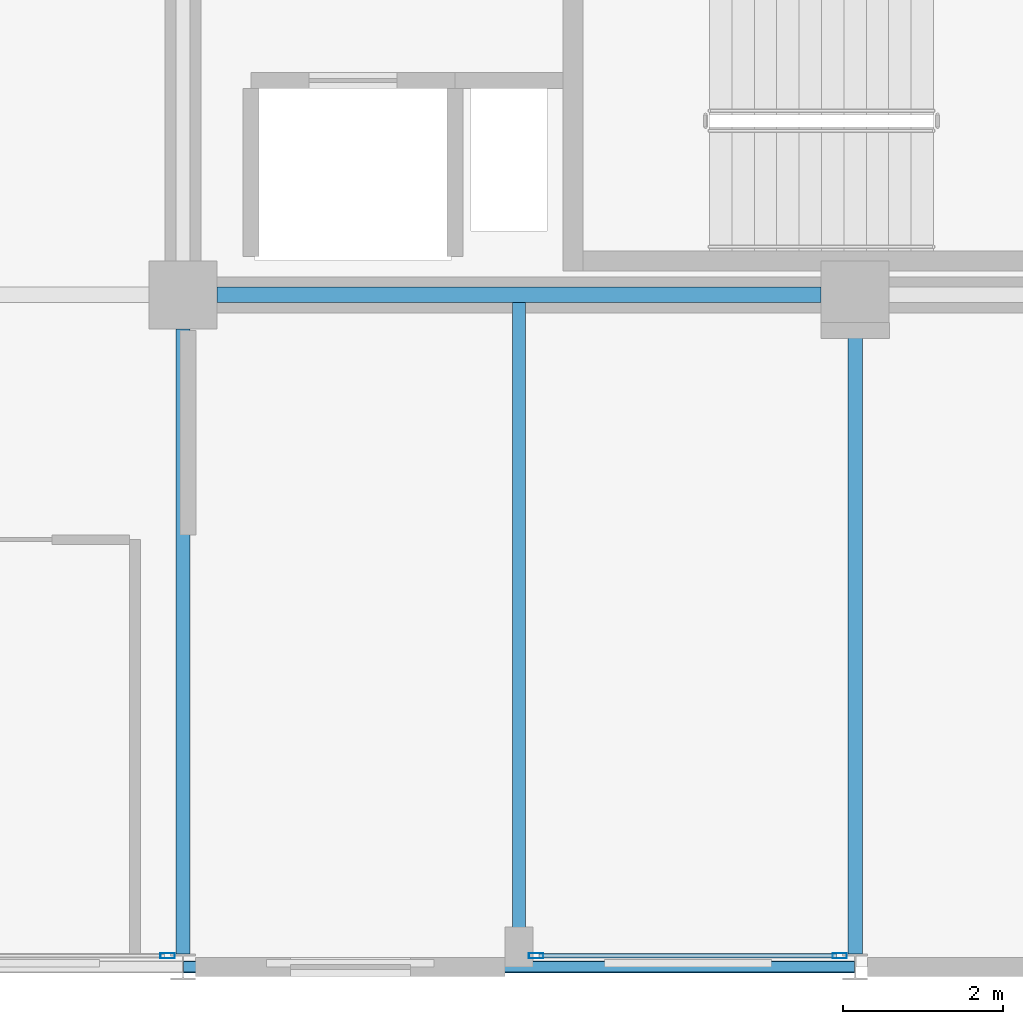
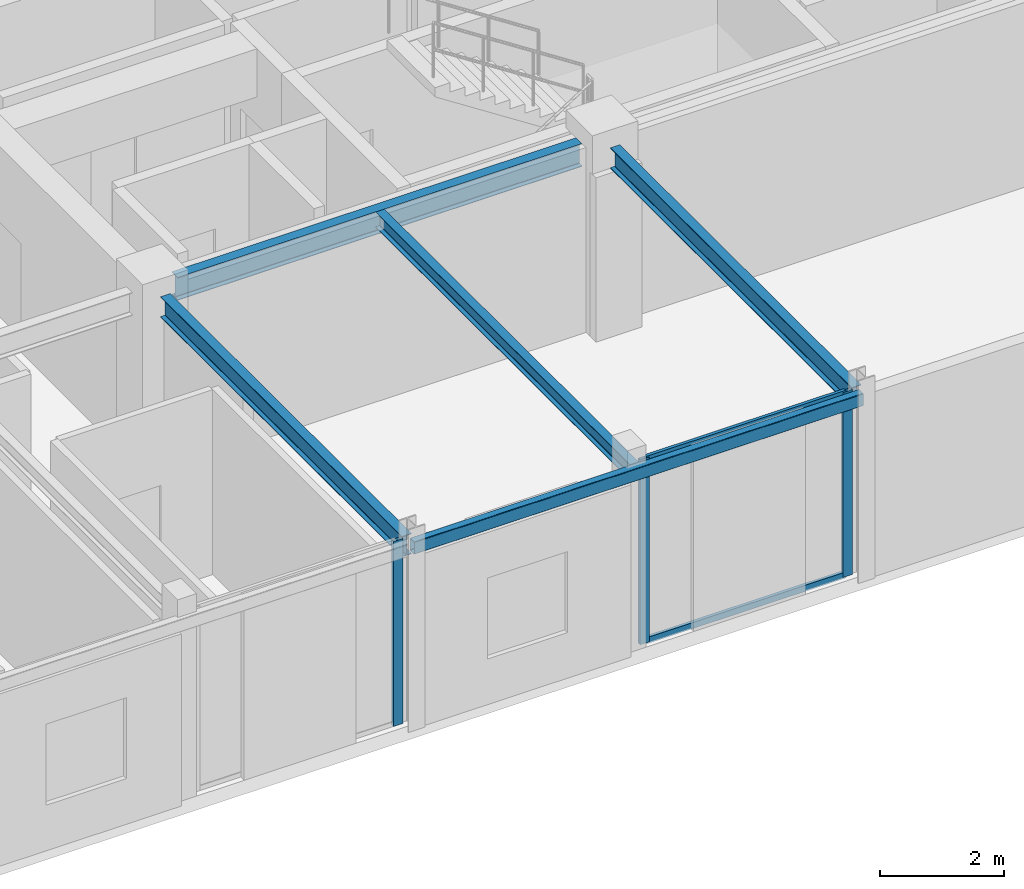
# One storey, part 7 of 26: 5 beams, 5 members, 2 elements without a shape of their own.
"""IFC4 building model written with IfcOpenShell, lengths in metres."""

import ifcopenshell
import ifcopenshell.guid

model = None  # the IFC model being written
_history = None  # IfcOwnerHistory: only IFC2X3 demands one
_inside = {}  # id of a spatial element -> (the spatial element, [elements in it])
_under = {}  # id of a project, library or spatial element -> (it, [spatial elements below it])
_declared = {}  # id of a project -> (the project, [libraries it declares])
_typed = {}  # id of a type object -> (the type object, [elements of that type])
_made_of = {}  # id of a material, layer set ... -> (it, [elements and type objects made of it])


def new_model(schema):
    """Start an empty IFC model of exactly this schema.

    Asked for "IFC4X3", IfcOpenShell would pick the latest addendum, in which some entities
    have other attributes; the version numbers below select the first issue.
    IFC2X3 requires an IfcOwnerHistory on every rooted entity: one is made here for all.
    """
    global model, _history
    if schema == "IFC4X3":
        model = ifcopenshell.file(schema_version=(4, 3, 0, 0))
    else:
        model = ifcopenshell.file(schema=schema)
    _inside.clear()
    _under.clear()
    _declared.clear()
    _typed.clear()
    _made_of.clear()
    _history = None
    if model.schema == "IFC2X3":
        org = make("IfcOrganization", Name="unknown")
        user = make(
            "IfcPersonAndOrganization",
            ThePerson=make("IfcPerson", FamilyName="unknown"),
            TheOrganization=org,
        )
        app = make(
            "IfcApplication",
            ApplicationDeveloper=org,
            Version="unknown",
            ApplicationFullName="unknown",
            ApplicationIdentifier="unknown",
        )
        _history = make(
            "IfcOwnerHistory",
            OwningUser=user,
            OwningApplication=app,
            ChangeAction="ADDED",
            CreationDate=0,
        )
    return model


def make(cls, **values):
    """One entity of the class cls with the attributes given. An attribute that is None is left unset."""
    return model.create_entity(
        cls, **{name: value for name, value in values.items() if value is not None}
    )


def rooted(cls, **values):
    """An entity with a GlobalId (a new one), such as an element, a storey or a relation."""
    return make(cls, GlobalId=ifcopenshell.guid.new(), OwnerHistory=_history, **values)


def si_unit(unit_type, name, prefix=None):
    """IfcSIUnit, for example si_unit("LENGTHUNIT", "METRE", prefix="MILLI")."""
    return make("IfcSIUnit", UnitType=unit_type, Prefix=prefix, Name=name)


def assignment(units):
    """IfcUnitAssignment: the units of a project."""
    return None if units is None else make("IfcUnitAssignment", Units=units)


def point(xyz):
    """IfcCartesianPoint."""
    return None if xyz is None else make("IfcCartesianPoint", Coordinates=xyz)


def direction(xyz):
    """IfcDirection."""
    return None if xyz is None else make("IfcDirection", DirectionRatios=xyz)


def frame(location, z_axis=None, x_axis=None):
    """IfcAxis2Placement3D, a coordinate frame: its origin and axes. An axis left out is left unset."""
    return make(
        "IfcAxis2Placement3D",
        Location=point(location),
        Axis=direction(z_axis),
        RefDirection=direction(x_axis),
    )


def frame_2d(location, x_axis=None):
    """IfcAxis2Placement2D, a coordinate frame in the plane: its origin and x axis."""
    return make(
        "IfcAxis2Placement2D", Location=point(location), RefDirection=direction(x_axis)
    )


def origin():
    """The frame at (0, 0, 0) with its axes left unset."""
    return frame((0.0, 0.0, 0.0))


def origin_2d():
    """The frame at (0, 0) in the plane with its x axis left unset."""
    return frame_2d((0.0, 0.0))


def place(relative_to, where):
    """IfcLocalPlacement: puts the frame where relative to a parent placement (None: the world)."""
    return make(
        "IfcLocalPlacement", PlacementRelTo=relative_to, RelativePlacement=where
    )


def context(
    kind, dimensions, precision=None, world=None, true_north=None, identifier=None
):
    """IfcGeometricRepresentationContext, for example the 3D "Model" context."""
    return make(
        "IfcGeometricRepresentationContext",
        ContextIdentifier=identifier,
        ContextType=kind,
        CoordinateSpaceDimension=dimensions,
        Precision=precision,
        WorldCoordinateSystem=world,
        TrueNorth=true_north,
    )


def subcontext(parent, identifier, kind, view, scale=None):
    """IfcGeometricRepresentationSubContext, for example "Body" below "Model"."""
    return make(
        "IfcGeometricRepresentationSubContext",
        ContextIdentifier=identifier,
        ContextType=kind,
        ParentContext=parent,
        TargetScale=scale,
        TargetView=view,
    )


def project(units=None, contexts=None):
    """IfcProject with its units and contexts."""
    return rooted(
        "IfcProject",
        Name="project",
        RepresentationContexts=contexts,
        UnitsInContext=assignment(units),
    )


def spatial(cls, under=None, at=None, **own):
    """A site, building, storey or space (cls), placed at a placement, below another one or the project."""
    s = rooted(cls, ObjectPlacement=at, **own)
    if under is not None:
        _under.setdefault(under.id(), (under, []))[1].append(s)
    return s


def profile(cls, at=None, kind="AREA", **sizes):
    """A parametric profile (cls). Its sizes go by their IFC names, for example OverallWidth=200.0."""
    return make(cls, ProfileType=kind, Position=at, **sizes)


def hollow_rectangle(**sizes):
    """IfcRectangleHollowProfileDef."""
    return profile("IfcRectangleHollowProfileDef", **sizes)


def i_section(**sizes):
    """IfcIShapeProfileDef."""
    return profile("IfcIShapeProfileDef", **sizes)


def extrude(swept, where, along, depth):
    """IfcExtrudedAreaSolid: the profile swept, set in the frame where, extruded along a direction by depth."""
    return make(
        "IfcExtrudedAreaSolid",
        SweptArea=swept,
        Position=where,
        ExtrudedDirection=direction(along),
        Depth=depth,
    )


def shape(context_of_items, identifier, shape_type, items):
    """IfcShapeRepresentation: the items that make up one representation, for example the "Body"."""
    return make(
        "IfcShapeRepresentation",
        ContextOfItems=context_of_items,
        RepresentationIdentifier=identifier,
        RepresentationType=shape_type,
        Items=items,
    )


def material(Name=None, Category=None):
    """IfcMaterial."""
    return make("IfcMaterial", Name=Name, Category=Category)


def layer(
    of_material, thickness, ventilated=None, Name=None, Category=None, Priority=None
):
    """IfcMaterialLayer: one layer of a wall or slab, of a material (None: an air gap)."""
    return make(
        "IfcMaterialLayer",
        Material=of_material,
        LayerThickness=thickness,
        IsVentilated=ventilated,
        Name=Name,
        Category=Category,
        Priority=Priority,
    )


def layer_set(layers, Name=None):
    """IfcMaterialLayerSet."""
    return make("IfcMaterialLayerSet", MaterialLayers=layers, LayerSetName=Name)


def material_profile(
    of_material, cross_section, Name=None, Category=None, Priority=None
):
    """IfcMaterialProfile: a cross section and its material."""
    return make(
        "IfcMaterialProfile",
        Name=Name,
        Material=of_material,
        Profile=cross_section,
        Priority=Priority,
        Category=Category,
    )


def profile_set(profiles, Name=None, composite=None):
    """IfcMaterialProfileSet."""
    return make(
        "IfcMaterialProfileSet",
        Name=Name,
        MaterialProfiles=profiles,
        CompositeProfile=composite,
    )


def made_of(thing, what):
    """Note that an element or type object is made of a material, layer set ...; save() writes the relation."""
    if what is not None:
        _made_of.setdefault(what.id(), (what, []))[1].append(thing)
    return thing


def type_object(cls, material=None, **own):
    """A type object (cls), such as IfcWallType, which elements share."""
    return made_of(rooted(cls, **own), material)


def element(
    cls,
    number,
    at=None,
    inside=None,
    cuts=None,
    type_object=None,
    material=None,
    context=None,
    identifier="Body",
    shape_type=None,
    held_by="IfcProductDefinitionShape",
    body=None,
    shapes=None,
    **own,
):
    """One element of the class cls, such as IfcWall. Its Tag is "e" and its number.

    at: its placement. inside: the storey or other place that contains it. cuts: it is an
    opening in that element (IfcRelVoidsElement). A single representation is given by context,
    identifier, shape_type and body (its items); several are given by shapes. held_by: the class
    of the entity that holds the representations. save() writes the other relations.
    """
    e = rooted(cls, Tag="e%d" % number, ObjectPlacement=at, **own)
    if body is not None:
        shapes = [shape(context, identifier, shape_type, body)]
    if shapes is not None:
        e.Representation = make(held_by, Representations=shapes)
    if inside is not None:
        _inside.setdefault(inside.id(), (inside, []))[1].append(e)
    if cuts is not None:
        rooted(
            "IfcRelVoidsElement", RelatingBuildingElement=cuts, RelatedOpeningElement=e
        )
    if type_object is not None:
        _typed.setdefault(type_object.id(), (type_object, []))[1].append(e)
    return made_of(e, material)


def aggregate(whole, parts):
    """IfcRelAggregates: a whole, such as a stair, and the parts it consists of."""
    return rooted("IfcRelAggregates", RelatingObject=whole, RelatedObjects=parts)


def save(model, path):
    """Write the relations noted so far, then the file.

    IfcRelAggregates (storeys below a building ...), IfcRelContainedInSpatialStructure (elements
    in a storey), IfcRelDefinesByType, IfcRelAssociatesMaterial and IfcRelDeclares: one each for
    every whole, place, type object, material and project.
    """
    for whole, parts in _under.values():
        aggregate(whole, parts)
    for where, things in _inside.values():
        rooted(
            "IfcRelContainedInSpatialStructure",
            RelatedElements=things,
            RelatingStructure=where,
        )
    for kind, things in _typed.values():
        rooted("IfcRelDefinesByType", RelatedObjects=things, RelatingType=kind)
    for what, things in _made_of.values():
        rooted("IfcRelAssociatesMaterial", RelatedObjects=things, RelatingMaterial=what)
    for by, libraries in _declared.values():
        rooted("IfcRelDeclares", RelatingContext=by, RelatedDefinitions=libraries)
    model.write(path)


model = new_model("IFC4")

# Units and contexts
model_context = context("Model", 3, precision=1e-05, world=origin(), true_north=direction((0.0, 1.0)))
body_context = subcontext(model_context, "Body", "Model", "MODEL_VIEW")
ifc_project = project(units=[si_unit("LENGTHUNIT", "METRE"), si_unit("AREAUNIT", "SQUARE_METRE"), si_unit("VOLUMEUNIT", "CUBIC_METRE"), si_unit("PLANEANGLEUNIT", "RADIAN"), si_unit("MASSUNIT", "GRAM", prefix="KILO")], contexts=[model_context])

# Site, building, storey
site_placement = place(None, origin())
site = spatial("IfcSite", under=ifc_project, at=site_placement, CompositionType="ELEMENT")
building_placement = place(site_placement, origin())
building = spatial("IfcBuilding", under=site, at=building_placement, Name="Nerrivon Quay Data Exchange", CompositionType="ELEMENT")
storey_placement = place(building_placement, frame((0.0, 0.0, 282.199951171875)))
storey = spatial("IfcBuildingStorey", under=building, at=storey_placement, Name="L67", CompositionType="ELEMENT", Elevation=282.199951171875)

# Beams
ifc_material_1 = material(Name="Steel Grade 350", Category="steel")
ifc_material_profile_1 = material_profile(ifc_material_1, i_section(OverallWidth=0.18994140625, OverallDepth=0.4541015625, WebThickness=0.008544921875, FlangeThickness=0.0126953125, FilletRadius=0.011474609375, at=origin_2d()), Name="460UB67.1")
ifc_profile_set_1 = profile_set([ifc_material_profile_1], Name="Steel Grade 350")
beam_type_1 = type_object("IfcBeamType", Name="BM-G6-460UB67", PredefinedType="BEAM", material=ifc_profile_set_1)
beam_1_placement = place(storey_placement, frame((17.22509765625, 8.39990234375, 3.423095703125), z_axis=(1.0, 0.0, 0.0), x_axis=(0.0, 1.0, 0.0)))
element("IfcBeam", 1, at=beam_1_placement, inside=storey, type_object=beam_type_1, Name="L67 EW Girder Y=8.4 (16.8..25.2)", PredefinedType="BEAM", context=body_context, shape_type="SweptSolid", body=[
    extrude(i_section(OverallWidth=0.18994140625, OverallDepth=0.4541015625, WebThickness=0.008544921875, FlangeThickness=0.0126953125, FilletRadius=0.011474609375, at=origin_2d()), origin(), (0.0, 0.0, 1.0), 7.5498046875),
])
ifc_material_profile_2 = material_profile(ifc_material_1, i_section(OverallWidth=0.177978515625, OverallDepth=0.406005859375, WebThickness=0.0078125, FlangeThickness=0.0126953125, FilletRadius=0.011474609375, at=origin_2d()), Name="410UB59.7")
ifc_profile_set_2 = profile_set([ifc_material_profile_2], Name="Steel Grade 350")
beam_type_2 = type_object("IfcBeamType", Name="BM-J1-410UB60", PredefinedType="JOIST", material=ifc_profile_set_2)
for number, where, z_axis, x_axis, name in (
    (2, (16.800048828125, 0.16357421875, 3.447021484375), (0.0, 1.0, 0.0), (-1.0, 0.0, 0.0), "L67 NS Girder X=16.8 (0.0..8.4)"),
    (3, (25.199951171875, 0.16357421875, 3.447021484375), (0.0, 1.0, 0.0), (-1.0, 0.0, 0.0), "L67 NS Girder X=25.2 (0.0..8.4)"),
):
    element("IfcBeam", number, at=place(storey_placement, frame(where, z_axis=z_axis, x_axis=x_axis)), inside=storey, type_object=beam_type_2, Name=name, PredefinedType="JOIST", context=body_context, shape_type="SweptSolid", body=[
        extrude(i_section(OverallWidth=0.177978515625, OverallDepth=0.406005859375, WebThickness=0.0078125, FlangeThickness=0.0126953125, FilletRadius=0.011474609375, at=origin_2d()), origin(), (0.0, 0.0, 1.0), 7.8115234375),
    ])
ifc_material_profile_3 = material_profile(ifc_material_1, i_section(OverallWidth=0.1650390625, OverallDepth=0.303955078125, WebThickness=0.006103515625, FlangeThickness=0.01025390625, FilletRadius=0.011474609375, at=origin_2d()), Name="310UB40.4")
ifc_profile_set_3 = profile_set([ifc_material_profile_3], Name="Steel Grade 350")
beam_type_3 = type_object("IfcBeamType", Name="BM-J6-310UB40", PredefinedType="JOIST", material=ifc_profile_set_3)
beam_2_placement = place(storey_placement, frame((21.0, 0.074951171875, 3.498046875), z_axis=(0.0, 1.0, 0.0), x_axis=(-1.0, 0.0, 0.0)))
element("IfcBeam", 4, at=beam_2_placement, inside=storey, type_object=beam_type_3, Name="L67 Secondary Joist X=21.0 (0.0..8.4)", PredefinedType="JOIST", context=body_context, shape_type="SweptSolid", body=[
    extrude(i_section(OverallWidth=0.1650390625, OverallDepth=0.303955078125, WebThickness=0.006103515625, FlangeThickness=0.01025390625, FilletRadius=0.011474609375, at=origin_2d()), origin(), (0.0, 0.0, 1.0), 8.22998046875),
])
ifc_material_2 = material(Name="Steel Grade C350L0 (350 MPa)", Category="steel")
ifc_material_profile_4 = material_profile(ifc_material_2, hollow_rectangle(XDim=0.14990234375, YDim=0.25, WallThickness=0.009033203125, InnerFilletRadius=0.013427734375, OuterFilletRadius=0.0224609375, at=origin_2d()), Name="250x150x9.0RHS")
ifc_profile_set_4 = profile_set([ifc_material_profile_4], Name="Steel Grade C350L0 (350 MPa)")
beam_type_4 = type_object("IfcBeamType", Name="BM-SP4-250x150RHS", PredefinedType="SPANDREL", material=ifc_profile_set_4)
beam_3_placement = place(storey_placement, frame((16.807861328125, 0.0, 3.525146484375), z_axis=(1.0, 0.0, 0.0), x_axis=(0.0, 1.0, 0.0)))
element("IfcBeam", 5, at=beam_3_placement, inside=storey, type_object=beam_type_4, Name="L67 EW Girder Y=0.0 (16.8..25.2)", PredefinedType="SPANDREL", context=body_context, shape_type="SweptSolid", body=[
    extrude(hollow_rectangle(XDim=0.14990234375, YDim=0.25, WallThickness=0.009033203125, InnerFilletRadius=0.013427734375, OuterFilletRadius=0.0224609375, at=origin_2d()), origin(), (0.0, 0.0, 1.0), 8.38427734375),
])

# Curtain wall, members
ifc_material_3 = material(Name="Anodised aluminium 6063-T6", Category="aluminium")
ifc_layer = layer(ifc_material_3, 0.195068359375)
ifc_layer_set = layer_set([ifc_layer], Name="Anodised aluminium 6063-T6")
curtain_wall_type = type_object("IfcCurtainWallType", Name="CW-SYS-06", PredefinedType="NOTDEFINED", material=ifc_layer_set)
curtain_wall_1_placement = place(storey_placement, origin())
curtain_wall_1 = element("IfcCurtainWall", 6, at=curtain_wall_1_placement, inside=storey, type_object=curtain_wall_type, Name="L67 Unitised Curtain Wall 4", PredefinedType="NOTDEFINED")
ifc_material_profile_5 = material_profile(ifc_material_3, hollow_rectangle(XDim=0.06494140625, YDim=0.179931640625, WallThickness=0.00341796875, at=origin_2d()), Name="ALU-MULL-180x65")
ifc_profile_set_5 = profile_set([ifc_material_profile_5], Name="Anodised aluminium 6063-T6")
member_type_1 = type_object("IfcMemberType", Name="CWM-180x65", PredefinedType="MULLION", material=ifc_profile_set_5)
member_1_placement = place(storey_placement, frame((25.007080078125, 0.139892578125, 0.0), z_axis=(0.0, 0.0, 1.0), x_axis=(0.0, -1.0, 0.0)))
member_1 = element("IfcMember", 7, at=member_1_placement, type_object=member_type_1, Name="CW06 mullion 1", PredefinedType="MULLION", context=body_context, shape_type="SweptSolid", body=[
    extrude(hollow_rectangle(XDim=0.06494140625, YDim=0.179931640625, WallThickness=0.00341796875, at=origin_2d()), origin(), (0.0, 0.0, 1.0), 3.650146484375),
])
member_2_placement = place(storey_placement, frame((21.21240234375, 0.139892578125, 0.0), z_axis=(0.0, 0.0, 1.0), x_axis=(0.0, -1.0, 0.0)))
member_2 = element("IfcMember", 8, at=member_2_placement, type_object=member_type_1, Name="CW06 mullion 2", PredefinedType="MULLION", context=body_context, shape_type="SweptSolid", body=[
    extrude(hollow_rectangle(XDim=0.06494140625, YDim=0.179931640625, WallThickness=0.00341796875, at=origin_2d()), origin(), (0.0, 0.0, 1.0), 3.650146484375),
])

# Curtain wall, member
curtain_wall_2_placement = place(storey_placement, origin())
curtain_wall_2 = element("IfcCurtainWall", 9, at=curtain_wall_2_placement, inside=storey, type_object=curtain_wall_type, Name="L67 Unitised Curtain Wall 6", PredefinedType="NOTDEFINED")
member_3_placement = place(storey_placement, frame((16.60693359375, 0.139892578125, 0.0), z_axis=(0.0, 0.0, 1.0), x_axis=(0.0, -1.0, 0.0)))
member_3 = element("IfcMember", 10, at=member_3_placement, type_object=member_type_1, Name="CW06 mullion 1", PredefinedType="MULLION", context=body_context, shape_type="SweptSolid", body=[
    extrude(hollow_rectangle(XDim=0.06494140625, YDim=0.179931640625, WallThickness=0.00341796875, at=origin_2d()), origin(), (0.0, 0.0, 1.0), 3.650146484375),
])
aggregate(curtain_wall_2, [member_3])

# Member
ifc_material_profile_6 = material_profile(ifc_material_3, hollow_rectangle(XDim=0.06005859375, YDim=0.1201171875, WallThickness=0.003173828125, at=origin_2d()), Name="ALU-TRAN-120x60")
ifc_profile_set_6 = profile_set([ifc_material_profile_6], Name="Anodised aluminium 6063-T6")
member_type_2 = type_object("IfcMemberType", Name="CWT-120x60", PredefinedType="USERDEFINED", material=ifc_profile_set_6)
member_4_placement = place(storey_placement, frame((24.969482421875, 0.139892578125, 0.032470703125), z_axis=(-1.0, 0.0, 0.0), x_axis=(0.0, -1.0, 0.0)))
member_4 = element("IfcMember", 11, at=member_4_placement, type_object=member_type_2, Name="CW06 transom 1.1", ObjectType="TRANSOM", PredefinedType="USERDEFINED", context=body_context, shape_type="SweptSolid", body=[
    extrude(hollow_rectangle(XDim=0.06005859375, YDim=0.1201171875, WallThickness=0.003173828125, at=origin_2d()), origin(), (0.0, 0.0, 1.0), 3.719482421875),
])

member_5_placement = place(storey_placement, frame((24.969482421875, 0.139892578125, 3.617431640625), z_axis=(-1.0, 0.0, 0.0), x_axis=(0.0, -1.0, 0.0)))
member_5 = element("IfcMember", 12, at=member_5_placement, type_object=member_type_2, Name="CW06 transom 1.2", ObjectType="TRANSOM", PredefinedType="USERDEFINED", context=body_context, shape_type="SweptSolid", body=[
    extrude(hollow_rectangle(XDim=0.06005859375, YDim=0.1201171875, WallThickness=0.003173828125, at=origin_2d()), origin(), (0.0, 0.0, 1.0), 3.719482421875),
])

aggregate(curtain_wall_1, [member_1, member_2, member_4, member_5])

save(model, "model.ifc")
